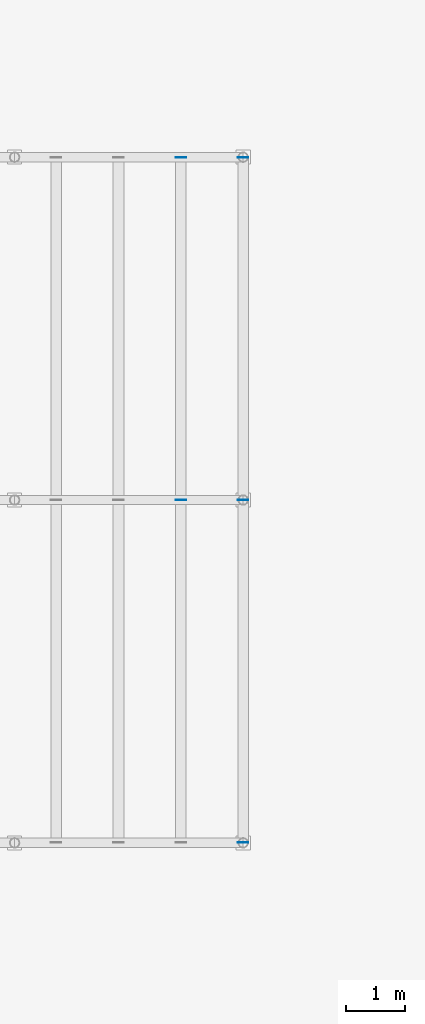
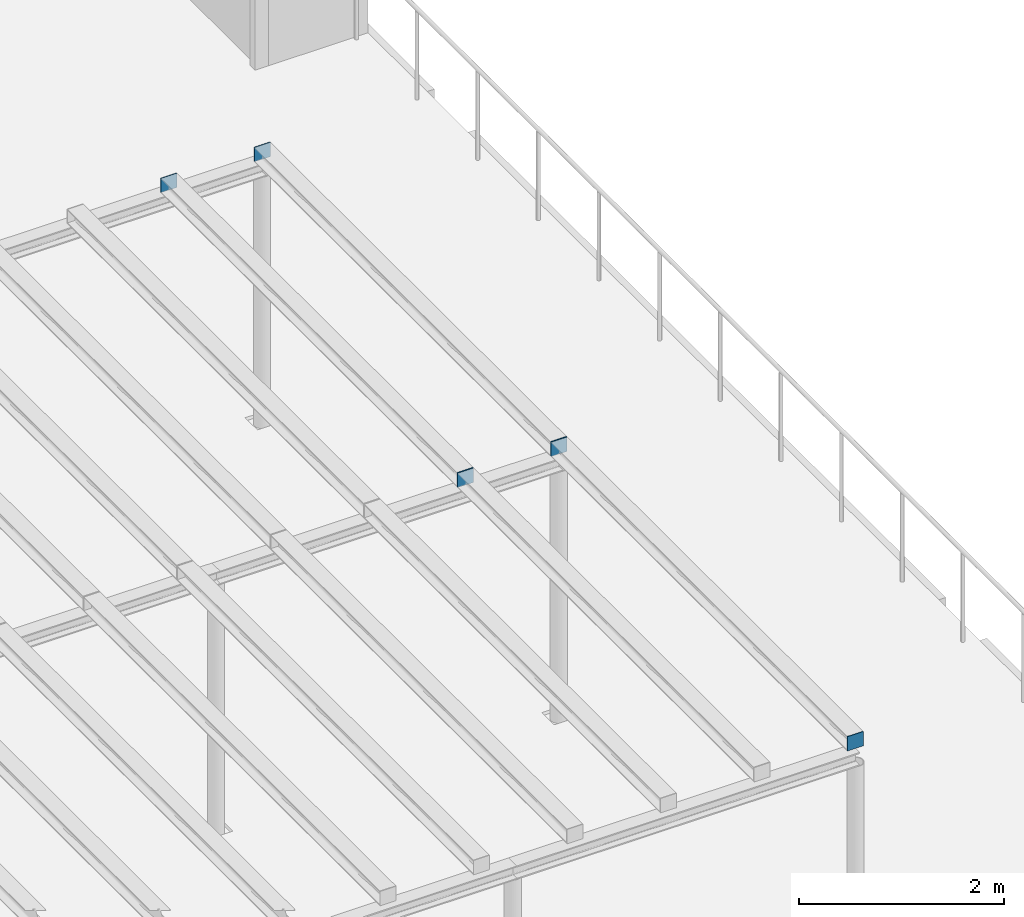
# One storey, part 23 of 28: 7 discrete accessories.
"""IFC4 building model written with IfcOpenShell, lengths in metres."""

from ifc_helpers import new_model, si_unit, direction, frame, origin, origin_2d, place, context, subcontext, project, spatial, rectangle, extrude, material, type_object, element, save


model = new_model("IFC4")

# Units and contexts
model_context = context("Model", 3, precision=1e-05, world=origin(), true_north=direction((0.0, 1.0)))
body_context = subcontext(model_context, "Body", "Model", "MODEL_VIEW")
ifc_project = project(units=[si_unit("LENGTHUNIT", "METRE"), si_unit("AREAUNIT", "SQUARE_METRE"), si_unit("VOLUMEUNIT", "CUBIC_METRE"), si_unit("PLANEANGLEUNIT", "RADIAN"), si_unit("MASSUNIT", "GRAM", prefix="KILO")], contexts=[model_context])

# Site, building, storey
site_placement = place(None, origin())
site = spatial("IfcSite", under=ifc_project, at=site_placement, CompositionType="ELEMENT")
building_placement = place(site_placement, origin())
building = spatial("IfcBuilding", under=site, at=building_placement, Name="Qaws Garden Tower", CompositionType="ELEMENT")
storey_placement = place(building_placement, frame((0.0, 0.0, 6.0)))
storey = spatial("IfcBuildingStorey", under=building, at=storey_placement, Name="L01", CompositionType="ELEMENT", Elevation=6.0)

# Discrete accessories
ifc_material = material(Name="Steel S355", Category="steel")
discrete_accessory_type = type_object("IfcDiscreteAccessoryType", Name="Pergola rafter end plate 8", PredefinedType="USERDEFINED", material=ifc_material)
for number, where, z_axis, x_axis, name in (
    (1, (94.74560546875, 49.99609375, 3.1201171875), (0.0, 0.0, 1.0), (1.0, 0.0, 0.0), "Pergola 2 rafter 11.1 end plate 2"),
    (2, (94.74560546875, 50.00390625, 3.1201171875), (0.0, 0.0, 1.0), (1.0, 0.0, 0.0), "Pergola 2 rafter 11.2 end plate 1"),
    (3, (94.74560546875, 55.7958984375, 3.1201171875), (0.0, 0.0, 1.0), (1.0, 0.0, 0.0), "Pergola 2 rafter 11.2 end plate 2"),
    (4, (95.800048828125, 44.2041015625, 3.1201171875), (0.0, 0.0, 1.0), (1.0, 0.0, 0.0), "Pergola 2 rafter 12.1 end plate 1"),
    (5, (95.800048828125, 49.99609375, 3.1201171875), (0.0, 0.0, 1.0), (1.0, 0.0, 0.0), "Pergola 2 rafter 12.1 end plate 2"),
    (6, (95.800048828125, 50.00390625, 3.1201171875), (0.0, 0.0, 1.0), (1.0, 0.0, 0.0), "Pergola 2 rafter 12.2 end plate 1"),
    (7, (95.800048828125, 55.7958984375, 3.1201171875), (0.0, 0.0, 1.0), (1.0, 0.0, 0.0), "Pergola 2 rafter 12.2 end plate 2"),
):
    element("IfcDiscreteAccessory", number, at=place(storey_placement, frame(where, z_axis=z_axis, x_axis=x_axis)), inside=storey, type_object=discrete_accessory_type, Name=name, ObjectType="End plate", PredefinedType="USERDEFINED", context=body_context, shape_type="SweptSolid", body=[
        extrude(rectangle(XDim=0.179931640625, YDim=0.008056640625, at=origin_2d()), origin(), (0.0, 0.0, 1.0), 0.1708984375),
    ])

save(model, "model.ifc")
